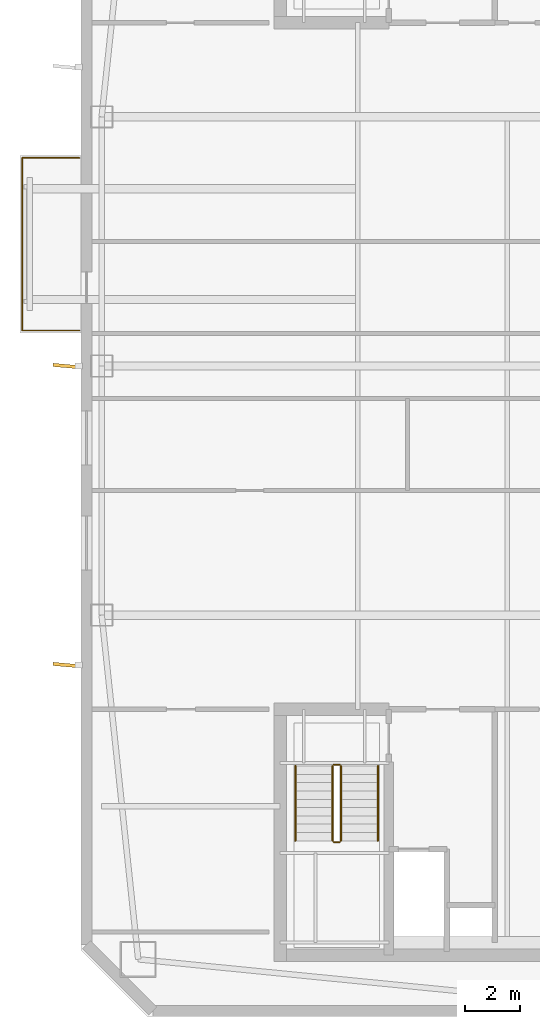
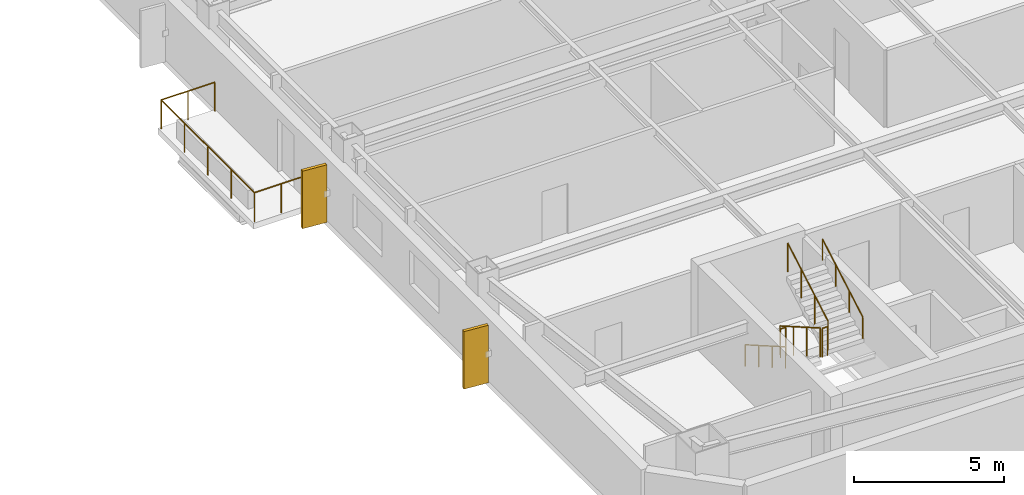
# One storey, part 14 of 18: 7 railings, 2 shading devices.
"""IFC4 building model written with IfcOpenShell, lengths in metres."""

from ifc_helpers import new_model, si_unit, direction, frame, origin, origin_2d, place, context, subcontext, project, spatial, rectangle, circle, extrude, material, layer, layer_set, type_object, element, save


model = new_model("IFC4")

# Units and contexts
model_context = context("Model", 3, precision=1e-05, world=origin(), true_north=direction((0.0, 1.0)))
body_context = subcontext(model_context, "Body", "Model", "MODEL_VIEW")
ifc_project = project(units=[si_unit("LENGTHUNIT", "METRE"), si_unit("AREAUNIT", "SQUARE_METRE"), si_unit("VOLUMEUNIT", "CUBIC_METRE"), si_unit("PLANEANGLEUNIT", "RADIAN"), si_unit("MASSUNIT", "GRAM", prefix="KILO")], contexts=[model_context])

# Site, building, storey
site_placement = place(None, origin())
site = spatial("IfcSite", under=ifc_project, at=site_placement, CompositionType="ELEMENT")
building_placement = place(site_placement, origin())
building = spatial("IfcBuilding", under=site, at=building_placement, Name="Qiaolan Cultural Towers", CompositionType="ELEMENT")
storey_placement = place(building_placement, frame((0.0, 0.0, 226.550048828125)))
storey = spatial("IfcBuildingStorey", under=building, at=storey_placement, Name="L61", CompositionType="ELEMENT", Elevation=226.550048828125)

# Railings
ifc_material_1 = material(Name="Laminated SentryGlas & Stainless Steel S31608 Balustrade", Category="steel")
railing_type_1 = type_object("IfcRailingType", Name="GRD-TERR-1200", PredefinedType="BALUSTRADE", material=ifc_material_1)
railing_1_placement = place(storey_placement, frame((14.550048828125, 35.280029296875, 0.0)))
element("IfcRailing", 1, at=railing_1_placement, inside=storey, type_object=railing_type_1, Name="L61 T1 Tree Balcony Guardrail W", PredefinedType="BALUSTRADE", context=body_context, shape_type="SweptSolid", body=[
    extrude(circle(Radius=0.02392578125, at=origin_2d()), frame((0.0, 0.0, 1.17578125), z_axis=(-1.0, 0.0, 0.0), x_axis=(0.0, -1.0, 0.0)), (0.0, 0.0, 1.0), 2.070068359375),
    extrude(circle(Radius=0.02392578125, at=origin_2d()), frame((-2.070068359375, 0.0, 1.17578125), z_axis=(0.0, 1.0, 0.0), x_axis=(-1.0, 0.0, 0.0)), (0.0, 0.0, 1.0), 6.239990234375),
    extrude(circle(Radius=0.02392578125, at=origin_2d()), frame((-2.070068359375, 6.239990234375, 1.17578125), z_axis=(1.0, 0.0, 0.0), x_axis=(0.0, 1.0, 0.0)), (0.0, 0.0, 1.0), 2.070068359375),
    extrude(circle(Radius=0.02099609375, at=origin_2d()), origin(), (0.0, 0.0, 1.0), 1.15185546875),
    extrude(circle(Radius=0.02099609375, at=origin_2d()), frame((-1.03515625, 0.0, 0.0)), (0.0, 0.0, 1.0), 1.15185546875),
    extrude(circle(Radius=0.02099609375, at=origin_2d()), frame((-2.070068359375, 0.0, 0.0)), (0.0, 0.0, 1.0), 1.15185546875),
    extrude(circle(Radius=0.02099609375, at=origin_2d()), frame((-2.070068359375, 1.56005859375, 0.0)), (0.0, 0.0, 1.0), 1.15185546875),
    extrude(circle(Radius=0.02099609375, at=origin_2d()), frame((-2.070068359375, 3.1201171875, 0.0)), (0.0, 0.0, 1.0), 1.15185546875),
    extrude(circle(Radius=0.02099609375, at=origin_2d()), frame((-2.070068359375, 4.679931640625, 0.0)), (0.0, 0.0, 1.0), 1.15185546875),
    extrude(circle(Radius=0.02099609375, at=origin_2d()), frame((-2.070068359375, 6.239990234375, 0.0)), (0.0, 0.0, 1.0), 1.15185546875),
    extrude(circle(Radius=0.02099609375, at=origin_2d()), frame((-1.03515625, 6.239990234375, 0.0)), (0.0, 0.0, 1.0), 1.15185546875),
    extrude(circle(Radius=0.02099609375, at=origin_2d()), frame((0.0, 6.239990234375, 0.0)), (0.0, 0.0, 1.0), 1.15185546875),
])
ifc_material_2 = material(Name="Galvanized Painted Steel Stair Guardrail", Category="steel")
railing_type_2 = type_object("IfcRailingType", Name="RL-STAIR-GRD", PredefinedType="GUARDRAIL", material=ifc_material_2)
railing_2_placement = place(storey_placement, frame((23.68994140625, 19.550048828125, 0.17236328125)))
element("IfcRailing", 2, at=railing_2_placement, inside=storey, type_object=railing_type_2, Name="L61 ST-W1 stair guard 1", PredefinedType="GUARDRAIL", context=body_context, shape_type="SweptSolid", body=[
    extrude(circle(Radius=0.02392578125, at=origin_2d()), frame((0.0, 0.0, 1.17578125), z_axis=(0.0, -0.866903762492, 0.498475542607), x_axis=(1.0, 0.0, 0.0)), (0.0, 0.0, 1.0), 3.114501953125),
    extrude(circle(Radius=0.02099609375, at=origin_2d()), origin(), (0.0, 0.0, 1.0), 1.15185546875),
    extrude(circle(Radius=0.02099609375, at=origin_2d()), frame((0.0, -0.89990234375, 0.517578125)), (0.0, 0.0, 1.0), 1.15185546875),
    extrude(circle(Radius=0.02099609375, at=origin_2d()), frame((0.0, -1.800048828125, 1.034912109375)), (0.0, 0.0, 1.0), 1.15185546875),
    extrude(circle(Radius=0.02099609375, at=origin_2d()), frame((0.0, -2.699951171875, 1.552490234375)), (0.0, 0.0, 1.0), 1.15185546875),
])
railing_3_placement = place(storey_placement, frame((23.739990234375, 16.800048828125, 1.724853515625)))
element("IfcRailing", 3, at=railing_3_placement, inside=storey, type_object=railing_type_2, Name="L61 ST-W1 stair guard 2", PredefinedType="GUARDRAIL", context=body_context, shape_type="SweptSolid", body=[
    extrude(circle(Radius=0.02392578125, at=origin_2d()), frame((0.0, 0.0, 1.17578125), z_axis=(1.0, 0.0, 0.0), x_axis=(0.0, 1.0, 0.0)), (0.0, 0.0, 1.0), 0.199951171875),
    extrude(circle(Radius=0.02099609375, at=origin_2d()), origin(), (0.0, 0.0, 1.0), 1.15185546875),
    extrude(circle(Radius=0.02099609375, at=origin_2d()), frame((0.199951171875, 0.0, 0.0)), (0.0, 0.0, 1.0), 1.15185546875),
])
railing_4_placement = place(storey_placement, frame((23.989990234375, 16.85009765625, 1.8974609375)))
element("IfcRailing", 4, at=railing_4_placement, inside=storey, type_object=railing_type_2, Name="L61 ST-W1 stair guard 3", PredefinedType="GUARDRAIL", context=body_context, shape_type="SweptSolid", body=[
    extrude(circle(Radius=0.02392578125, at=origin_2d()), frame((0.0, 0.0, 1.17578125), z_axis=(0.0, 0.866903762492, 0.498475542607), x_axis=(-1.0, 0.0, 0.0)), (0.0, 0.0, 1.0), 3.114501953125),
    extrude(circle(Radius=0.02099609375, at=origin_2d()), origin(), (0.0, 0.0, 1.0), 1.15185546875),
    extrude(circle(Radius=0.02099609375, at=origin_2d()), frame((0.0, 0.89990234375, 0.517578125)), (0.0, 0.0, 1.0), 1.15185546875),
    extrude(circle(Radius=0.02099609375, at=origin_2d()), frame((0.0, 1.800048828125, 1.034912109375)), (0.0, 0.0, 1.0), 1.15185546875),
    extrude(circle(Radius=0.02099609375, at=origin_2d()), frame((0.0, 2.699951171875, 1.552490234375)), (0.0, 0.0, 1.0), 1.15185546875),
])
railing_5_placement = place(storey_placement, frame((23.739990234375, 19.60009765625, 0.0)))
element("IfcRailing", 5, at=railing_5_placement, inside=storey, type_object=railing_type_2, Name="L61 ST-W1 stair guard 4", PredefinedType="GUARDRAIL", context=body_context, shape_type="SweptSolid", body=[
    extrude(circle(Radius=0.02392578125, at=origin_2d()), frame((0.0, 0.0, 1.17578125), z_axis=(1.0, 0.0, 0.0), x_axis=(0.0, 1.0, 0.0)), (0.0, 0.0, 1.0), 0.199951171875),
    extrude(circle(Radius=0.02099609375, at=origin_2d()), origin(), (0.0, 0.0, 1.0), 1.15185546875),
    extrude(circle(Radius=0.02099609375, at=origin_2d()), frame((0.199951171875, 0.0, 0.0)), (0.0, 0.0, 1.0), 1.15185546875),
])
ifc_material_3 = material(Name="Stainless Steel S30408 Tubular Handrail", Category="steel")
railing_type_3 = type_object("IfcRailingType", Name="RL-STAIR-HR", PredefinedType="HANDRAIL", material=ifc_material_3)
railing_6_placement = place(storey_placement, frame((22.35009765625, 19.550048828125, 0.17236328125)))
element("IfcRailing", 6, at=railing_6_placement, inside=storey, type_object=railing_type_3, Name="L61 ST-W1 stair handrail 1", PredefinedType="HANDRAIL", context=body_context, shape_type="SweptSolid", body=[
    extrude(circle(Radius=0.02392578125, at=origin_2d()), frame((0.0, 0.0, 0.8759765625), z_axis=(0.0, -0.866903762492, 0.498475542607), x_axis=(1.0, 0.0, 0.0)), (0.0, 0.0, 1.0), 3.114501953125),
    extrude(circle(Radius=0.02099609375, at=origin_2d()), origin(), (0.0, 0.0, 1.0), 0.851806640625),
    extrude(circle(Radius=0.02099609375, at=origin_2d()), frame((0.0, -0.89990234375, 0.517578125)), (0.0, 0.0, 1.0), 0.851806640625),
    extrude(circle(Radius=0.02099609375, at=origin_2d()), frame((0.0, -1.800048828125, 1.034912109375)), (0.0, 0.0, 1.0), 0.851806640625),
    extrude(circle(Radius=0.02099609375, at=origin_2d()), frame((0.0, -2.699951171875, 1.552490234375)), (0.0, 0.0, 1.0), 0.851806640625),
])
railing_7_placement = place(storey_placement, frame((25.330078125, 16.85009765625, 1.8974609375)))
element("IfcRailing", 7, at=railing_7_placement, inside=storey, type_object=railing_type_3, Name="L61 ST-W1 stair handrail 2", PredefinedType="HANDRAIL", context=body_context, shape_type="SweptSolid", body=[
    extrude(circle(Radius=0.02392578125, at=origin_2d()), frame((0.0, 0.0, 0.8759765625), z_axis=(0.0, 0.866903762492, 0.498475542607), x_axis=(-1.0, 0.0, 0.0)), (0.0, 0.0, 1.0), 3.114501953125),
    extrude(circle(Radius=0.02099609375, at=origin_2d()), origin(), (0.0, 0.0, 1.0), 0.851806640625),
    extrude(circle(Radius=0.02099609375, at=origin_2d()), frame((0.0, 0.89990234375, 0.517578125)), (0.0, 0.0, 1.0), 0.851806640625),
    extrude(circle(Radius=0.02099609375, at=origin_2d()), frame((0.0, 1.800048828125, 1.034912109375)), (0.0, 0.0, 1.0), 0.851806640625),
    extrude(circle(Radius=0.02099609375, at=origin_2d()), frame((0.0, 2.699951171875, 1.552490234375)), (0.0, 0.0, 1.0), 0.851806640625),
])

# Shading devices
ifc_material_4 = material(Name="Light Limestone Precast Vertical Fin", Category="masonry")
ifc_layer = layer(ifc_material_4, 0.1201171875)
ifc_layer_set = layer_set([ifc_layer], Name="Light Limestone Precast Vertical Fin")
shading_device_type = type_object("IfcShadingDeviceType", Name="SHD-FIN-WHITE", PredefinedType="USERDEFINED", material=ifc_layer_set)
for number, where, z_axis, x_axis, name in (
    (8, (14.0400390625, 23.199951171875, 0.099853515625), (0.0, 0.0, 1.0), (0.995993912618, -0.089421060319, 0.0), "L61 T1 Expressive Precast Vertical Fin W1"),
    (9, (14.0400390625, 34.0, 0.099853515625), (0.0, 0.0, 1.0), (0.995993912618, -0.089421060319, 0.0), "L61 T1 Expressive Precast Vertical Fin W2"),
):
    element("IfcShadingDevice", number, at=place(storey_placement, frame(where, z_axis=z_axis, x_axis=x_axis)), inside=storey, type_object=shading_device_type, Name=name, ObjectType="FIN", PredefinedType="USERDEFINED", context=body_context, shape_type="SweptSolid", body=[
        extrude(rectangle(XDim=0.89990234375, YDim=0.1201171875, at=origin_2d()), origin(), (0.0, 0.0, 1.0), 2.35009765625),
    ])

save(model, "model.ifc")
